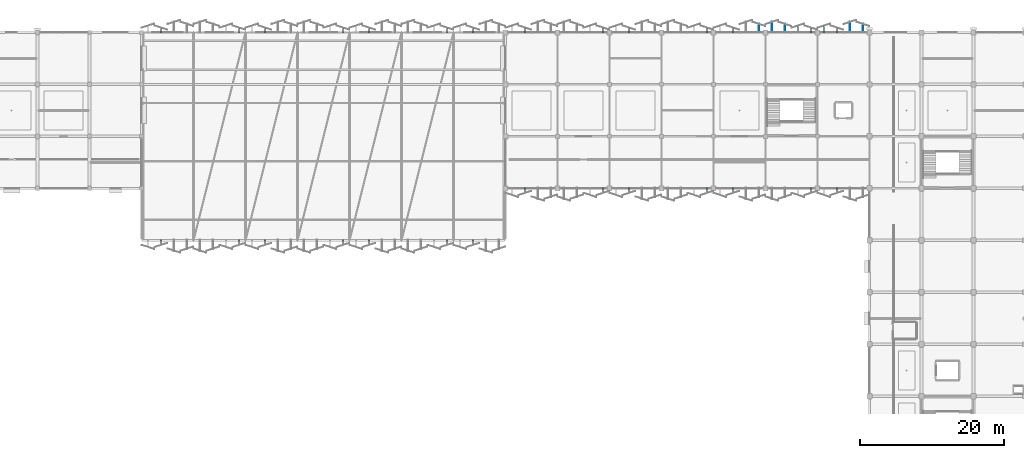
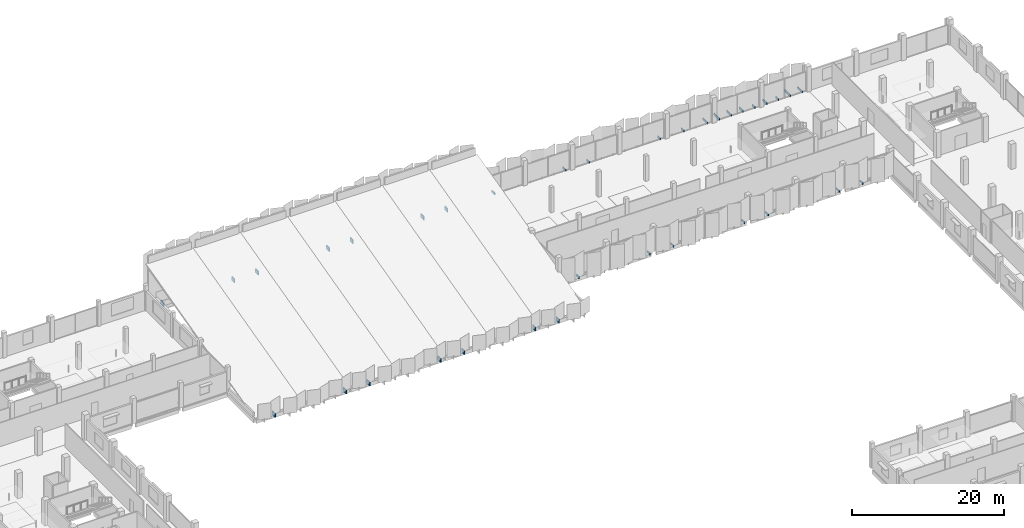
# One storey, part 104 of 108: 35 discrete accessories.
"""IFC4 building model written with IfcOpenShell, lengths in metres."""

import ifcopenshell
import ifcopenshell.guid

model = None  # the IFC model being written
_history = None  # IfcOwnerHistory: only IFC2X3 demands one
_inside = {}  # id of a spatial element -> (the spatial element, [elements in it])
_under = {}  # id of a project, library or spatial element -> (it, [spatial elements below it])
_declared = {}  # id of a project -> (the project, [libraries it declares])
_typed = {}  # id of a type object -> (the type object, [elements of that type])
_made_of = {}  # id of a material, layer set ... -> (it, [elements and type objects made of it])


def new_model(schema):
    """Start an empty IFC model of exactly this schema.

    Asked for "IFC4X3", IfcOpenShell would pick the latest addendum, in which some entities
    have other attributes; the version numbers below select the first issue.
    IFC2X3 requires an IfcOwnerHistory on every rooted entity: one is made here for all.
    """
    global model, _history
    if schema == "IFC4X3":
        model = ifcopenshell.file(schema_version=(4, 3, 0, 0))
    else:
        model = ifcopenshell.file(schema=schema)
    _inside.clear()
    _under.clear()
    _declared.clear()
    _typed.clear()
    _made_of.clear()
    _history = None
    if model.schema == "IFC2X3":
        org = make("IfcOrganization", Name="unknown")
        user = make(
            "IfcPersonAndOrganization",
            ThePerson=make("IfcPerson", FamilyName="unknown"),
            TheOrganization=org,
        )
        app = make(
            "IfcApplication",
            ApplicationDeveloper=org,
            Version="unknown",
            ApplicationFullName="unknown",
            ApplicationIdentifier="unknown",
        )
        _history = make(
            "IfcOwnerHistory",
            OwningUser=user,
            OwningApplication=app,
            ChangeAction="ADDED",
            CreationDate=0,
        )
    return model


def make(cls, **values):
    """One entity of the class cls with the attributes given. An attribute that is None is left unset."""
    return model.create_entity(
        cls, **{name: value for name, value in values.items() if value is not None}
    )


def rooted(cls, **values):
    """An entity with a GlobalId (a new one), such as an element, a storey or a relation."""
    return make(cls, GlobalId=ifcopenshell.guid.new(), OwnerHistory=_history, **values)


def si_unit(unit_type, name, prefix=None):
    """IfcSIUnit, for example si_unit("LENGTHUNIT", "METRE", prefix="MILLI")."""
    return make("IfcSIUnit", UnitType=unit_type, Prefix=prefix, Name=name)


def assignment(units):
    """IfcUnitAssignment: the units of a project."""
    return None if units is None else make("IfcUnitAssignment", Units=units)


def point(xyz):
    """IfcCartesianPoint."""
    return None if xyz is None else make("IfcCartesianPoint", Coordinates=xyz)


def direction(xyz):
    """IfcDirection."""
    return None if xyz is None else make("IfcDirection", DirectionRatios=xyz)


def frame(location, z_axis=None, x_axis=None):
    """IfcAxis2Placement3D, a coordinate frame: its origin and axes. An axis left out is left unset."""
    return make(
        "IfcAxis2Placement3D",
        Location=point(location),
        Axis=direction(z_axis),
        RefDirection=direction(x_axis),
    )


def frame_2d(location, x_axis=None):
    """IfcAxis2Placement2D, a coordinate frame in the plane: its origin and x axis."""
    return make(
        "IfcAxis2Placement2D", Location=point(location), RefDirection=direction(x_axis)
    )


def origin():
    """The frame at (0, 0, 0) with its axes left unset."""
    return frame((0.0, 0.0, 0.0))


def origin_2d():
    """The frame at (0, 0) in the plane with its x axis left unset."""
    return frame_2d((0.0, 0.0))


def place(relative_to, where):
    """IfcLocalPlacement: puts the frame where relative to a parent placement (None: the world)."""
    return make(
        "IfcLocalPlacement", PlacementRelTo=relative_to, RelativePlacement=where
    )


def context(
    kind, dimensions, precision=None, world=None, true_north=None, identifier=None
):
    """IfcGeometricRepresentationContext, for example the 3D "Model" context."""
    return make(
        "IfcGeometricRepresentationContext",
        ContextIdentifier=identifier,
        ContextType=kind,
        CoordinateSpaceDimension=dimensions,
        Precision=precision,
        WorldCoordinateSystem=world,
        TrueNorth=true_north,
    )


def subcontext(parent, identifier, kind, view, scale=None):
    """IfcGeometricRepresentationSubContext, for example "Body" below "Model"."""
    return make(
        "IfcGeometricRepresentationSubContext",
        ContextIdentifier=identifier,
        ContextType=kind,
        ParentContext=parent,
        TargetScale=scale,
        TargetView=view,
    )


def project(units=None, contexts=None):
    """IfcProject with its units and contexts."""
    return rooted(
        "IfcProject",
        Name="project",
        RepresentationContexts=contexts,
        UnitsInContext=assignment(units),
    )


def spatial(cls, under=None, at=None, **own):
    """A site, building, storey or space (cls), placed at a placement, below another one or the project."""
    s = rooted(cls, ObjectPlacement=at, **own)
    if under is not None:
        _under.setdefault(under.id(), (under, []))[1].append(s)
    return s


def profile(cls, at=None, kind="AREA", **sizes):
    """A parametric profile (cls). Its sizes go by their IFC names, for example OverallWidth=200.0."""
    return make(cls, ProfileType=kind, Position=at, **sizes)


def rectangle(**sizes):
    """IfcRectangleProfileDef."""
    return profile("IfcRectangleProfileDef", **sizes)


def extrude(swept, where, along, depth):
    """IfcExtrudedAreaSolid: the profile swept, set in the frame where, extruded along a direction by depth."""
    return make(
        "IfcExtrudedAreaSolid",
        SweptArea=swept,
        Position=where,
        ExtrudedDirection=direction(along),
        Depth=depth,
    )


def shape(context_of_items, identifier, shape_type, items):
    """IfcShapeRepresentation: the items that make up one representation, for example the "Body"."""
    return make(
        "IfcShapeRepresentation",
        ContextOfItems=context_of_items,
        RepresentationIdentifier=identifier,
        RepresentationType=shape_type,
        Items=items,
    )


def material(Name=None, Category=None):
    """IfcMaterial."""
    return make("IfcMaterial", Name=Name, Category=Category)


def made_of(thing, what):
    """Note that an element or type object is made of a material, layer set ...; save() writes the relation."""
    if what is not None:
        _made_of.setdefault(what.id(), (what, []))[1].append(thing)
    return thing


def type_object(cls, material=None, **own):
    """A type object (cls), such as IfcWallType, which elements share."""
    return made_of(rooted(cls, **own), material)


def element(
    cls,
    number,
    at=None,
    inside=None,
    cuts=None,
    type_object=None,
    material=None,
    context=None,
    identifier="Body",
    shape_type=None,
    held_by="IfcProductDefinitionShape",
    body=None,
    shapes=None,
    **own,
):
    """One element of the class cls, such as IfcWall. Its Tag is "e" and its number.

    at: its placement. inside: the storey or other place that contains it. cuts: it is an
    opening in that element (IfcRelVoidsElement). A single representation is given by context,
    identifier, shape_type and body (its items); several are given by shapes. held_by: the class
    of the entity that holds the representations. save() writes the other relations.
    """
    e = rooted(cls, Tag="e%d" % number, ObjectPlacement=at, **own)
    if body is not None:
        shapes = [shape(context, identifier, shape_type, body)]
    if shapes is not None:
        e.Representation = make(held_by, Representations=shapes)
    if inside is not None:
        _inside.setdefault(inside.id(), (inside, []))[1].append(e)
    if cuts is not None:
        rooted(
            "IfcRelVoidsElement", RelatingBuildingElement=cuts, RelatedOpeningElement=e
        )
    if type_object is not None:
        _typed.setdefault(type_object.id(), (type_object, []))[1].append(e)
    return made_of(e, material)


def aggregate(whole, parts):
    """IfcRelAggregates: a whole, such as a stair, and the parts it consists of."""
    return rooted("IfcRelAggregates", RelatingObject=whole, RelatedObjects=parts)


def save(model, path):
    """Write the relations noted so far, then the file.

    IfcRelAggregates (storeys below a building ...), IfcRelContainedInSpatialStructure (elements
    in a storey), IfcRelDefinesByType, IfcRelAssociatesMaterial and IfcRelDeclares: one each for
    every whole, place, type object, material and project.
    """
    for whole, parts in _under.values():
        aggregate(whole, parts)
    for where, things in _inside.values():
        rooted(
            "IfcRelContainedInSpatialStructure",
            RelatedElements=things,
            RelatingStructure=where,
        )
    for kind, things in _typed.values():
        rooted("IfcRelDefinesByType", RelatedObjects=things, RelatingType=kind)
    for what, things in _made_of.values():
        rooted("IfcRelAssociatesMaterial", RelatedObjects=things, RelatingMaterial=what)
    for by, libraries in _declared.values():
        rooted("IfcRelDeclares", RelatingContext=by, RelatedDefinitions=libraries)
    model.write(path)


model = new_model("IFC4")

# Units and contexts
model_context = context("Model", 3, precision=1e-05, world=origin(), true_north=direction((0.0, 1.0)))
body_context = subcontext(model_context, "Body", "Model", "MODEL_VIEW")
ifc_project = project(units=[si_unit("LENGTHUNIT", "METRE"), si_unit("AREAUNIT", "SQUARE_METRE"), si_unit("VOLUMEUNIT", "CUBIC_METRE"), si_unit("PLANEANGLEUNIT", "RADIAN"), si_unit("MASSUNIT", "GRAM", prefix="KILO")], contexts=[model_context])

# Site, building, storey
site_placement = place(None, origin())
site = spatial("IfcSite", under=ifc_project, at=site_placement, CompositionType="ELEMENT")
building_placement = place(site_placement, origin())
building = spatial("IfcBuilding", under=site, at=building_placement, Name="Kangsadwip Square Police Headquarters", CompositionType="ELEMENT")
storey_placement = place(building_placement, frame((0.0, 0.0, 9.449951171875)))
storey = spatial("IfcBuildingStorey", under=building, at=storey_placement, Name="L02", CompositionType="ELEMENT", Elevation=9.449951171875)

# Discrete accessories
ifc_material = material(Name="Structural steel IS 2062 E350 (Grade 350, 350 MPa)", Category="steel")
discrete_accessory_type = type_object("IfcDiscreteAccessoryType", Name="VeilOutriggerBracket", PredefinedType="BRACKET", material=ifc_material)
for number, where, z_axis, x_axis, name in (
    (1, (45.89990234375, 115.502685546875, -0.39990234375), (0.0, 0.0, 1.0), (1.0, 0.0, 0.0), "Veil Outrigger Bracket VBK-L02-0030"),
    (2, (56.699951171875, 115.502685546875, -0.39990234375), (0.0, 0.0, 1.0), (1.0, 0.0, 0.0), "Veil Outrigger Bracket VBK-L02-0036"),
    (3, (60.300048828125, 115.502685546875, -0.39990234375), (0.0, 0.0, 1.0), (1.0, 0.0, 0.0), "Veil Outrigger Bracket VBK-L02-0038"),
    (4, (71.10009765625, 115.502685546875, -0.39990234375), (0.0, 0.0, 1.0), (1.0, 0.0, 0.0), "Veil Outrigger Bracket VBK-L02-0044"),
    (5, (74.699951171875, 115.502685546875, -0.39990234375), (0.0, 0.0, 1.0), (1.0, 0.0, 0.0), "Veil Outrigger Bracket VBK-L02-0046"),
    (6, (85.5, 115.502685546875, -0.39990234375), (0.0, 0.0, 1.0), (1.0, 0.0, 0.0), "Veil Outrigger Bracket VBK-L02-0052"),
    (7, (89.10009765625, 115.502685546875, -0.39990234375), (0.0, 0.0, 1.0), (1.0, 0.0, 0.0), "Veil Outrigger Bracket VBK-L02-0054"),
):
    element("IfcDiscreteAccessory", number, at=place(storey_placement, frame(where, z_axis=z_axis, x_axis=x_axis)), inside=storey, type_object=discrete_accessory_type, Name=name, PredefinedType="BRACKET", context=body_context, shape_type="SweptSolid", body=[
        extrude(rectangle(XDim=0.1201171875, YDim=0.765380859375, at=origin_2d()), origin(), (0.0, 0.0, 1.0), 0.6298828125),
    ])
for number, where, z_axis, x_axis, name in (
    (8, (96.300048828125, 115.502685546875, -0.10986328125), (0.0, 0.0, 1.0), (1.0, 0.0, 0.0), "Veil Outrigger Bracket VBK-L02-0086"),
    (9, (107.10009765625, 115.502685546875, -0.10986328125), (0.0, 0.0, 1.0), (1.0, 0.0, 0.0), "Veil Outrigger Bracket VBK-L02-0092"),
    (10, (110.699951171875, 115.502685546875, -0.10986328125), (0.0, 0.0, 1.0), (1.0, 0.0, 0.0), "Veil Outrigger Bracket VBK-L02-0094"),
    (11, (121.5, 115.502685546875, -0.10986328125), (0.0, 0.0, 1.0), (1.0, 0.0, 0.0), "Veil Outrigger Bracket VBK-L02-0100"),
    (12, (125.10009765625, 115.502685546875, -0.10986328125), (0.0, 0.0, 1.0), (1.0, 0.0, 0.0), "Veil Outrigger Bracket VBK-L02-0102"),
):
    element("IfcDiscreteAccessory", number, at=place(storey_placement, frame(where, z_axis=z_axis, x_axis=x_axis)), inside=storey, type_object=discrete_accessory_type, Name=name, PredefinedType="BRACKET", context=body_context, shape_type="SweptSolid", body=[
        extrude(rectangle(XDim=0.1201171875, YDim=0.765380859375, at=origin_2d()), origin(), (0.0, 0.0, 1.0), 0.340087890625),
    ])
discrete_accessory_1_placement = place(storey_placement, frame((128.699951171875, 115.75732421875, -0.10986328125), z_axis=(0.0, 0.0, 1.0), x_axis=(1.0, 0.0, 0.0)))
element("IfcDiscreteAccessory", 13, at=discrete_accessory_1_placement, inside=storey, type_object=discrete_accessory_type, Name="Veil Outrigger Bracket VBK-L02-0104", PredefinedType="BRACKET", context=body_context, shape_type="SweptSolid", body=[
    extrude(rectangle(XDim=0.1201171875, YDim=1.274658203125, at=origin_2d()), origin(), (0.0, 0.0, 1.0), 0.340087890625),
])
discrete_accessory_2_placement = place(storey_placement, frame((130.5, 115.897216796875, -0.10986328125), z_axis=(0.0, 0.0, 1.0), x_axis=(1.0, 0.0, 0.0)))
element("IfcDiscreteAccessory", 14, at=discrete_accessory_2_placement, inside=storey, type_object=discrete_accessory_type, Name="Veil Outrigger Bracket VBK-L02-0105", PredefinedType="BRACKET", context=body_context, shape_type="SweptSolid", body=[
    extrude(rectangle(XDim=0.1201171875, YDim=1.5546875, at=origin_2d()), origin(), (0.0, 0.0, 1.0), 0.340087890625),
])
discrete_accessory_3_placement = place(storey_placement, frame((132.300048828125, 115.75732421875, -0.10986328125), z_axis=(0.0, 0.0, 1.0), x_axis=(1.0, 0.0, 0.0)))
element("IfcDiscreteAccessory", 15, at=discrete_accessory_3_placement, inside=storey, type_object=discrete_accessory_type, Name="Veil Outrigger Bracket VBK-L02-0106", PredefinedType="BRACKET", context=body_context, shape_type="SweptSolid", body=[
    extrude(rectangle(XDim=0.1201171875, YDim=1.274658203125, at=origin_2d()), origin(), (0.0, 0.0, 1.0), 0.340087890625),
])
discrete_accessory_4_placement = place(storey_placement, frame((134.10009765625, 115.642578125, -0.10986328125), z_axis=(0.0, 0.0, 1.0), x_axis=(1.0, 0.0, 0.0)))
element("IfcDiscreteAccessory", 16, at=discrete_accessory_4_placement, inside=storey, type_object=discrete_accessory_type, Name="Veil Outrigger Bracket VBK-L02-0107", PredefinedType="BRACKET", context=body_context, shape_type="SweptSolid", body=[
    extrude(rectangle(XDim=0.1201171875, YDim=1.04541015625, at=origin_2d()), origin(), (0.0, 0.0, 1.0), 0.340087890625),
])
discrete_accessory_5_placement = place(storey_placement, frame((135.89990234375, 115.502685546875, -0.10986328125), z_axis=(0.0, 0.0, 1.0), x_axis=(1.0, 0.0, 0.0)))
element("IfcDiscreteAccessory", 17, at=discrete_accessory_5_placement, inside=storey, type_object=discrete_accessory_type, Name="Veil Outrigger Bracket VBK-L02-0108", PredefinedType="BRACKET", context=body_context, shape_type="SweptSolid", body=[
    extrude(rectangle(XDim=0.1201171875, YDim=0.765380859375, at=origin_2d()), origin(), (0.0, 0.0, 1.0), 0.340087890625),
])
discrete_accessory_6_placement = place(storey_placement, frame((137.699951171875, 115.642578125, -0.10986328125), z_axis=(0.0, 0.0, 1.0), x_axis=(1.0, 0.0, 0.0)))
element("IfcDiscreteAccessory", 18, at=discrete_accessory_6_placement, inside=storey, type_object=discrete_accessory_type, Name="Veil Outrigger Bracket VBK-L02-0109", PredefinedType="BRACKET", context=body_context, shape_type="SweptSolid", body=[
    extrude(rectangle(XDim=0.1201171875, YDim=1.04541015625, at=origin_2d()), origin(), (0.0, 0.0, 1.0), 0.340087890625),
])
discrete_accessory_7_placement = place(storey_placement, frame((139.5, 115.502685546875, -0.10986328125), z_axis=(0.0, 0.0, 1.0), x_axis=(1.0, 0.0, 0.0)))
element("IfcDiscreteAccessory", 19, at=discrete_accessory_7_placement, inside=storey, type_object=discrete_accessory_type, Name="Veil Outrigger Bracket VBK-L02-0110", PredefinedType="BRACKET", context=body_context, shape_type="SweptSolid", body=[
    extrude(rectangle(XDim=0.1201171875, YDim=0.765380859375, at=origin_2d()), origin(), (0.0, 0.0, 1.0), 0.340087890625),
])
discrete_accessory_8_placement = place(storey_placement, frame((141.300048828125, 115.897216796875, -0.10986328125), z_axis=(0.0, 0.0, 1.0), x_axis=(1.0, 0.0, 0.0)))
element("IfcDiscreteAccessory", 20, at=discrete_accessory_8_placement, inside=storey, type_object=discrete_accessory_type, Name="Veil Outrigger Bracket VBK-L02-0111", PredefinedType="BRACKET", context=body_context, shape_type="SweptSolid", body=[
    extrude(rectangle(XDim=0.1201171875, YDim=1.5546875, at=origin_2d()), origin(), (0.0, 0.0, 1.0), 0.340087890625),
])
discrete_accessory_9_placement = place(storey_placement, frame((143.10009765625, 115.75732421875, -0.10986328125), z_axis=(0.0, 0.0, 1.0), x_axis=(1.0, 0.0, 0.0)))
element("IfcDiscreteAccessory", 21, at=discrete_accessory_9_placement, inside=storey, type_object=discrete_accessory_type, Name="Veil Outrigger Bracket VBK-L02-0112", PredefinedType="BRACKET", context=body_context, shape_type="SweptSolid", body=[
    extrude(rectangle(XDim=0.1201171875, YDim=1.274658203125, at=origin_2d()), origin(), (0.0, 0.0, 1.0), 0.340087890625),
])
for number, where, z_axis, x_axis, name in (
    (22, (45.89990234375, 86.097412109375, -0.39990234375), (0.0, 0.0, 1.0), (1.0, 0.0, 0.0), "Veil Outrigger Bracket VBK-L02-0226"),
    (23, (56.699951171875, 86.097412109375, -0.39990234375), (0.0, 0.0, 1.0), (1.0, 0.0, 0.0), "Veil Outrigger Bracket VBK-L02-0232"),
    (24, (60.300048828125, 86.097412109375, -0.39990234375), (0.0, 0.0, 1.0), (1.0, 0.0, 0.0), "Veil Outrigger Bracket VBK-L02-0234"),
    (25, (71.10009765625, 86.097412109375, -0.39990234375), (0.0, 0.0, 1.0), (1.0, 0.0, 0.0), "Veil Outrigger Bracket VBK-L02-0240"),
    (26, (74.699951171875, 86.097412109375, -0.39990234375), (0.0, 0.0, 1.0), (1.0, 0.0, 0.0), "Veil Outrigger Bracket VBK-L02-0242"),
    (27, (85.5, 86.097412109375, -0.39990234375), (0.0, 0.0, 1.0), (1.0, 0.0, 0.0), "Veil Outrigger Bracket VBK-L02-0248"),
    (28, (89.10009765625, 86.097412109375, -0.39990234375), (0.0, 0.0, 1.0), (1.0, 0.0, 0.0), "Veil Outrigger Bracket VBK-L02-0250"),
):
    element("IfcDiscreteAccessory", number, at=place(storey_placement, frame(where, z_axis=z_axis, x_axis=x_axis)), inside=storey, type_object=discrete_accessory_type, Name=name, PredefinedType="BRACKET", context=body_context, shape_type="SweptSolid", body=[
        extrude(rectangle(XDim=0.1201171875, YDim=0.765380859375, at=origin_2d()), origin(), (0.0, 0.0, 1.0), 0.6298828125),
    ])
for number, where, z_axis, x_axis, name in (
    (29, (96.300048828125, 93.29736328125, -0.10986328125), (0.0, 0.0, 1.0), (1.0, 0.0, 0.0), "Veil Outrigger Bracket VBK-L02-0282"),
    (30, (107.10009765625, 93.29736328125, -0.10986328125), (0.0, 0.0, 1.0), (1.0, 0.0, 0.0), "Veil Outrigger Bracket VBK-L02-0288"),
    (31, (110.699951171875, 93.29736328125, -0.10986328125), (0.0, 0.0, 1.0), (1.0, 0.0, 0.0), "Veil Outrigger Bracket VBK-L02-0290"),
    (32, (121.5, 93.29736328125, -0.10986328125), (0.0, 0.0, 1.0), (1.0, 0.0, 0.0), "Veil Outrigger Bracket VBK-L02-0296"),
    (33, (125.10009765625, 93.29736328125, -0.10986328125), (0.0, 0.0, 1.0), (1.0, 0.0, 0.0), "Veil Outrigger Bracket VBK-L02-0298"),
    (34, (135.89990234375, 93.29736328125, -0.10986328125), (0.0, 0.0, 1.0), (1.0, 0.0, 0.0), "Veil Outrigger Bracket VBK-L02-0304"),
    (35, (139.5, 93.29736328125, -0.10986328125), (0.0, 0.0, 1.0), (1.0, 0.0, 0.0), "Veil Outrigger Bracket VBK-L02-0306"),
):
    element("IfcDiscreteAccessory", number, at=place(storey_placement, frame(where, z_axis=z_axis, x_axis=x_axis)), inside=storey, type_object=discrete_accessory_type, Name=name, PredefinedType="BRACKET", context=body_context, shape_type="SweptSolid", body=[
        extrude(rectangle(XDim=0.1201171875, YDim=0.765380859375, at=origin_2d()), origin(), (0.0, 0.0, 1.0), 0.340087890625),
    ])

save(model, "model.ifc")
